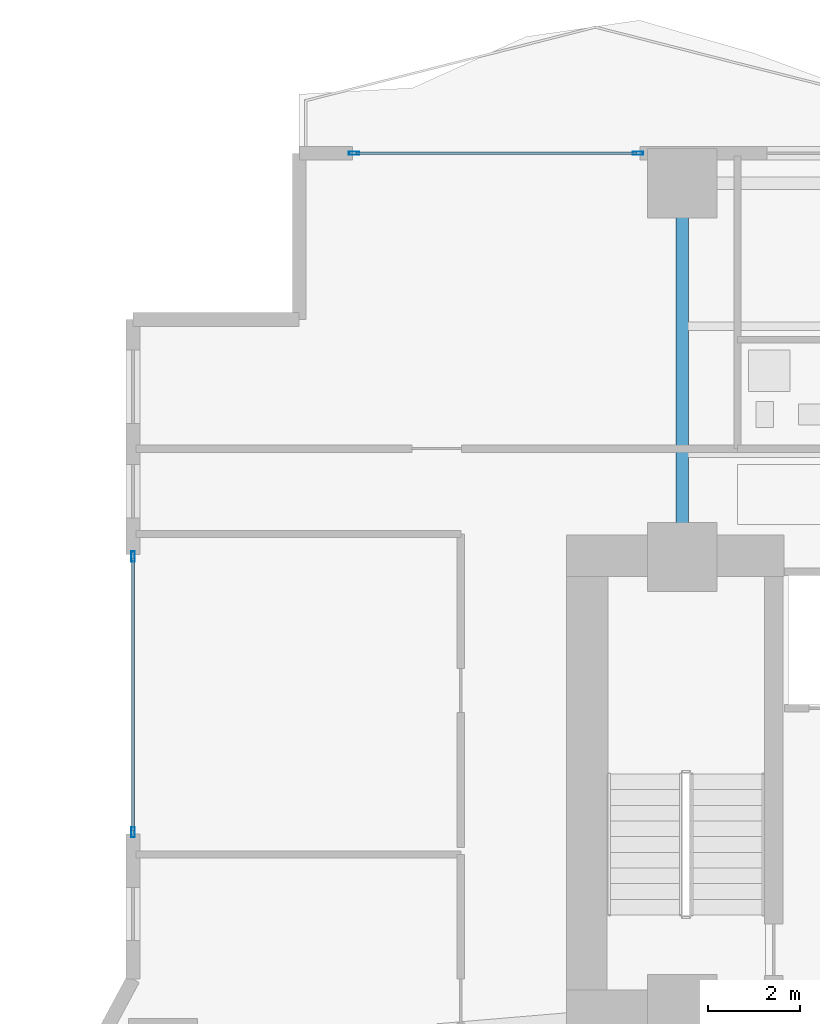
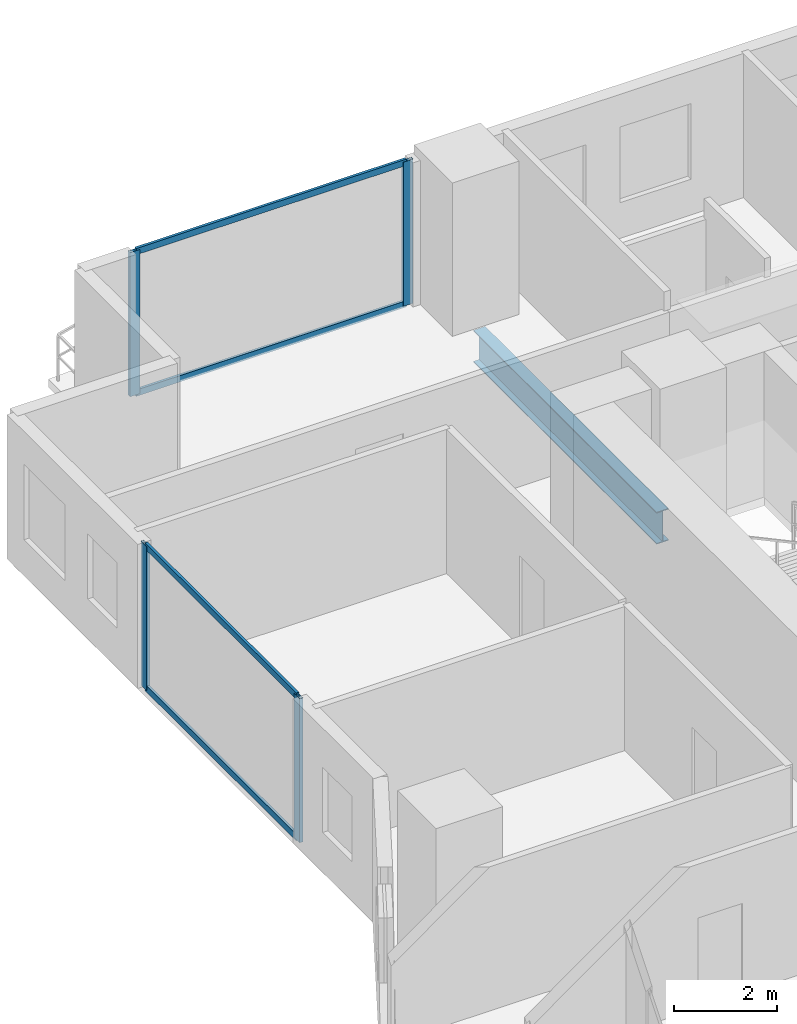
# One storey, part 13 of 28: 8 members, 1 beam, 2 elements without a shape of their own.
"""IFC4 building model written with IfcOpenShell, lengths in metres."""

from ifc_helpers import new_model, si_unit, direction, frame, origin, origin_2d, place, context, subcontext, project, spatial, hollow_rectangle, i_section, extrude, material, layer, layer_set, material_profile, profile_set, type_object, element, aggregate, save


model = new_model("IFC4")

# Units and contexts
model_context = context("Model", 3, precision=1e-05, world=origin(), true_north=direction((0.0, 1.0)))
body_context = subcontext(model_context, "Body", "Model", "MODEL_VIEW")
ifc_project = project(units=[si_unit("LENGTHUNIT", "METRE"), si_unit("AREAUNIT", "SQUARE_METRE"), si_unit("VOLUMEUNIT", "CUBIC_METRE"), si_unit("PLANEANGLEUNIT", "RADIAN"), si_unit("MASSUNIT", "GRAM", prefix="KILO")], contexts=[model_context])

# Site, building, storey
site_placement = place(None, origin())
site = spatial("IfcSite", under=ifc_project, at=site_placement, CompositionType="ELEMENT")
building_placement = place(site_placement, origin())
building = spatial("IfcBuilding", under=site, at=building_placement, Name="Zuhayl Quay Hotel", CompositionType="ELEMENT")
storey_placement = place(building_placement, frame((0.0, 0.0, 34.89990234375)))
storey = spatial("IfcBuildingStorey", under=building, at=storey_placement, Name="L07", CompositionType="ELEMENT", Elevation=34.89990234375)

# Beam
ifc_material_1 = material(Name="Steel ASTM A992 Grade 50", Category="steel")
ifc_material_profile_1 = material_profile(ifc_material_1, i_section(OverallWidth=0.26708984375, OverallDepth=0.761962890625, WebThickness=0.014404296875, FlangeThickness=0.021484375, at=origin_2d()), Name="W30X116")
ifc_profile_set_1 = profile_set([ifc_material_profile_1], Name="Steel ASTM A992 Grade 50")
beam_type = type_object("IfcBeamType", Name="BM_B1_W30X116", PredefinedType="BEAM", material=ifc_profile_set_1)
beam_placement = place(storey_placement, frame((-13.800048828125, 14.800048828125, -0.600830078125), z_axis=(0.0, 1.0, 0.0), x_axis=(-1.0, 0.0, 0.0)))
element("IfcBeam", 1, at=beam_placement, inside=storey, type_object=beam_type, Name="L07 Floor Beam FG_N_L07_1", PredefinedType="BEAM", context=body_context, shape_type="SweptSolid", body=[
    extrude(i_section(OverallWidth=0.26708984375, OverallDepth=0.761962890625, WebThickness=0.014404296875, FlangeThickness=0.021484375, at=origin_2d()), origin(), (0.0, 0.0, 1.0), 7.14990234375),
])

# Curtain wall, members
ifc_material_2 = material(Name="Anodised Aluminium 6063-T6", Category="aluminium")
ifc_layer = layer(ifc_material_2, 0.18994140625, Name="Anodised Aluminium 6063-T6", Category="aluminium")
ifc_layer_set = layer_set([ifc_layer], Name="Anodised Aluminium 6063-T6")
curtain_wall_type = type_object("IfcCurtainWallType", Name="CW_SYS_Z1", PredefinedType="USERDEFINED", material=ifc_layer_set)
curtain_wall_1_placement = place(storey_placement, origin())
curtain_wall_1 = element("IfcCurtainWall", 2, at=curtain_wall_1_placement, inside=storey, type_object=curtain_wall_type, Name="L07 Curtain Wall ENV_L07_E05_CW1", ObjectType="UNITISED CURTAIN WALL", PredefinedType="USERDEFINED")
ifc_material_3 = material(Name="Black-anodised aluminium 6063-T6", Category="aluminium")
ifc_material_profile_2 = material_profile(ifc_material_3, hollow_rectangle(XDim=0.074951171875, YDim=0.219970703125, WallThickness=0.00390625, at=origin_2d()), Name="ALU220X75")
ifc_profile_set_2 = profile_set([ifc_material_profile_2], Name="Black-anodised aluminium 6063-T6")
member_type_1 = type_object("IfcMemberType", Name="MB_CW_MUL_220", PredefinedType="MULLION", material=ifc_profile_set_2)
member_1_placement = place(storey_placement, frame((-25.699951171875, 8.387451171875, 0.0), z_axis=(0.0, 0.0, 1.0), x_axis=(-1.0, 0.0, 0.0)))
member_1 = element("IfcMember", 3, at=member_1_placement, type_object=member_type_1, Name="CW-Z1 mullion 1", PredefinedType="MULLION", context=body_context, shape_type="SweptSolid", body=[
    extrude(hollow_rectangle(XDim=0.074951171875, YDim=0.219970703125, WallThickness=0.00390625, at=origin_2d()), origin(), (0.0, 0.0, 1.0), 3.43017578125),
])
member_2_placement = place(storey_placement, frame((-25.699951171875, 14.362548828125, 0.0), z_axis=(0.0, 0.0, 1.0), x_axis=(-1.0, 0.0, 0.0)))
member_2 = element("IfcMember", 4, at=member_2_placement, type_object=member_type_1, Name="CW-Z1 mullion 2", PredefinedType="MULLION", context=body_context, shape_type="SweptSolid", body=[
    extrude(hollow_rectangle(XDim=0.074951171875, YDim=0.219970703125, WallThickness=0.00390625, at=origin_2d()), origin(), (0.0, 0.0, 1.0), 3.43017578125),
])

curtain_wall_2_placement = place(storey_placement, origin())
curtain_wall_2 = element("IfcCurtainWall", 5, at=curtain_wall_2_placement, inside=storey, type_object=curtain_wall_type, Name="L07 Curtain Wall ENV_L07_N_CW1", ObjectType="UNITISED CURTAIN WALL", PredefinedType="USERDEFINED")
member_3_placement = place(storey_placement, frame((-20.91259765625, 23.10009765625, 0.0), z_axis=(0.0, 0.0, 1.0), x_axis=(0.0, 1.0, 0.0)))
member_3 = element("IfcMember", 6, at=member_3_placement, type_object=member_type_1, Name="CW-Z1 mullion 1", PredefinedType="MULLION", context=body_context, shape_type="SweptSolid", body=[
    extrude(hollow_rectangle(XDim=0.074951171875, YDim=0.219970703125, WallThickness=0.00390625, at=origin_2d()), origin(), (0.0, 0.0, 1.0), 3.43017578125),
])
member_4_placement = place(storey_placement, frame((-14.757568359375, 23.10009765625, 0.0), z_axis=(0.0, 0.0, 1.0), x_axis=(0.0, 1.0, 0.0)))
member_4 = element("IfcMember", 7, at=member_4_placement, type_object=member_type_1, Name="CW-Z1 mullion 2", PredefinedType="MULLION", context=body_context, shape_type="SweptSolid", body=[
    extrude(hollow_rectangle(XDim=0.074951171875, YDim=0.219970703125, WallThickness=0.00390625, at=origin_2d()), origin(), (0.0, 0.0, 1.0), 3.43017578125),
])

# Member
ifc_material_profile_3 = material_profile(ifc_material_3, hollow_rectangle(XDim=0.06005859375, YDim=0.14990234375, WallThickness=0.00341796875, at=origin_2d()), Name="ALU150X60")
ifc_profile_set_3 = profile_set([ifc_material_profile_3], Name="Black-anodised aluminium 6063-T6")
member_type_2 = type_object("IfcMemberType", Name="MB_CW_TRN_150", PredefinedType="USERDEFINED", material=ifc_profile_set_3)
member_5_placement = place(storey_placement, frame((-25.699951171875, 8.425048828125, 0.030029296875), z_axis=(0.0, 1.0, 0.0), x_axis=(-1.0, 0.0, 0.0)))
member_5 = element("IfcMember", 8, at=member_5_placement, type_object=member_type_2, Name="CW-Z1 transom 1.1", ObjectType="TRANSOM", PredefinedType="USERDEFINED", context=body_context, shape_type="SweptSolid", body=[
    extrude(hollow_rectangle(XDim=0.06005859375, YDim=0.14990234375, WallThickness=0.00341796875, at=origin_2d()), origin(), (0.0, 0.0, 1.0), 5.89990234375),
])

member_6_placement = place(storey_placement, frame((-25.699951171875, 8.425048828125, 3.400146484375), z_axis=(0.0, 1.0, 0.0), x_axis=(-1.0, 0.0, 0.0)))
member_6 = element("IfcMember", 9, at=member_6_placement, type_object=member_type_2, Name="CW-Z1 transom 1.2", ObjectType="TRANSOM", PredefinedType="USERDEFINED", context=body_context, shape_type="SweptSolid", body=[
    extrude(hollow_rectangle(XDim=0.06005859375, YDim=0.14990234375, WallThickness=0.00341796875, at=origin_2d()), origin(), (0.0, 0.0, 1.0), 5.89990234375),
])

aggregate(curtain_wall_1, [member_1, member_2, member_5, member_6])

member_7_placement = place(storey_placement, frame((-20.875, 23.10009765625, 0.030029296875), z_axis=(1.0, 0.0, 0.0), x_axis=(0.0, 1.0, 0.0)))
member_7 = element("IfcMember", 10, at=member_7_placement, type_object=member_type_2, Name="CW-Z1 transom 1.1", ObjectType="TRANSOM", PredefinedType="USERDEFINED", context=body_context, shape_type="SweptSolid", body=[
    extrude(hollow_rectangle(XDim=0.06005859375, YDim=0.14990234375, WallThickness=0.00341796875, at=origin_2d()), origin(), (0.0, 0.0, 1.0), 6.080078125),
])

member_8_placement = place(storey_placement, frame((-20.875, 23.10009765625, 3.400146484375), z_axis=(1.0, 0.0, 0.0), x_axis=(0.0, 1.0, 0.0)))
member_8 = element("IfcMember", 11, at=member_8_placement, type_object=member_type_2, Name="CW-Z1 transom 1.2", ObjectType="TRANSOM", PredefinedType="USERDEFINED", context=body_context, shape_type="SweptSolid", body=[
    extrude(hollow_rectangle(XDim=0.06005859375, YDim=0.14990234375, WallThickness=0.00341796875, at=origin_2d()), origin(), (0.0, 0.0, 1.0), 6.080078125),
])

aggregate(curtain_wall_2, [member_3, member_4, member_7, member_8])

save(model, "model.ifc")
